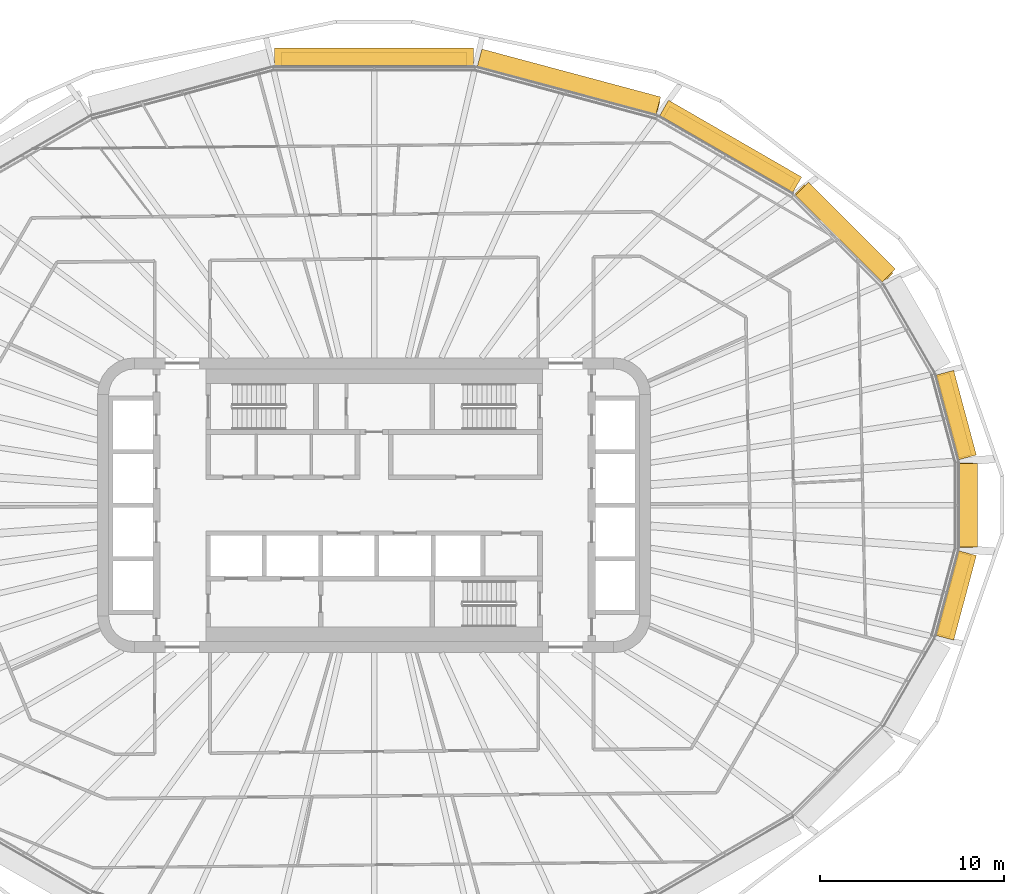
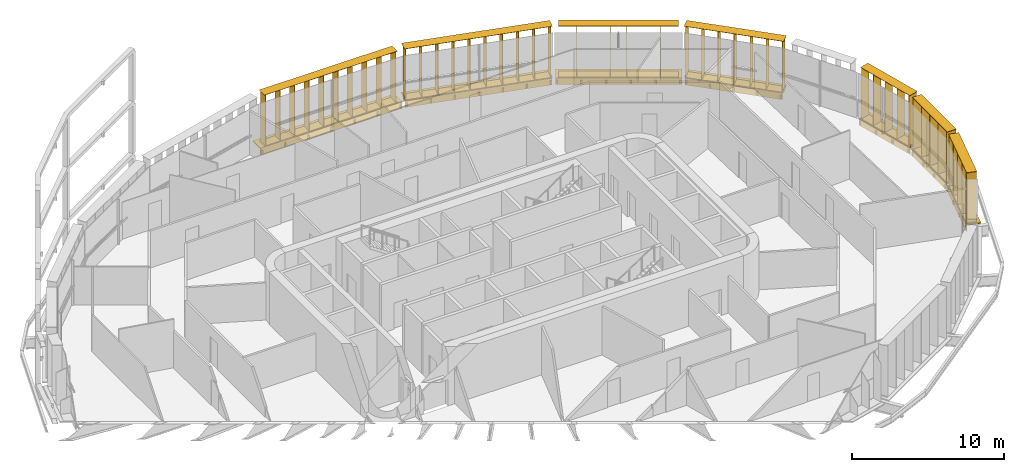
# One storey, part 26 of 26: 14 shading devices.
"""IFC4 building model written with IfcOpenShell, lengths in metres."""

from ifc_helpers import new_model, si_unit, direction, frame, origin, origin_2d, place, context, subcontext, project, spatial, rectangle, extrude, material, type_object, element, save


model = new_model("IFC4")

# Units and contexts
model_context = context("Model", 3, precision=1e-05, world=origin(), true_north=direction((0.0, 1.0)))
body_context = subcontext(model_context, "Body", "Model", "MODEL_VIEW")
ifc_project = project(units=[si_unit("LENGTHUNIT", "METRE"), si_unit("AREAUNIT", "SQUARE_METRE"), si_unit("VOLUMEUNIT", "CUBIC_METRE"), si_unit("PLANEANGLEUNIT", "RADIAN"), si_unit("MASSUNIT", "GRAM", prefix="KILO")], contexts=[model_context])

# Site, building, storey
site_placement = place(None, origin())
site = spatial("IfcSite", under=ifc_project, at=site_placement, CompositionType="ELEMENT")
building_placement = place(site_placement, origin())
building = spatial("IfcBuilding", under=site, at=building_placement, Name="Sahrelin Media Tower", CompositionType="ELEMENT")
storey_placement = place(building_placement, frame((0.0, 0.0, 84.0)))
storey = spatial("IfcBuildingStorey", under=building, at=storey_placement, Name="L15", CompositionType="ELEMENT", Elevation=84.0)

# Shading devices
ifc_material = material(Name="Champagne anodised aluminium 6063-T6", Category="aluminium")
shading_device_type_1 = type_object("IfcShadingDeviceType", Name="Fin cassette", PredefinedType="USERDEFINED", material=ifc_material)
placement_1 = place(storey_placement, frame((31.711181640625, 0.0, 0.0), z_axis=(0.0, 0.0, 1.0), x_axis=(0.0, -1.0, 0.0)))
element("IfcShadingDevice", 1, at=placement_1, inside=storey, type_object=shading_device_type_1, Name="L15:FIN:L15-00", ObjectType="FIN", PredefinedType="USERDEFINED", context=body_context, shape_type="SweptSolid", body=[
    extrude(rectangle(XDim=4.60009765625, YDim=0.699951171875, at=origin_2d()), frame((0.0, 0.419921875, 0.0)), (0.0, 0.0, 1.0), 0.02001953125),
    extrude(rectangle(XDim=4.60009765625, YDim=0.699951171875, at=origin_2d()), frame((0.0, 0.419921875, 4.10009765625)), (0.0, 0.0, 1.0), 0.02001953125),
    extrude(rectangle(XDim=0.02001953125, YDim=0.699951171875, at=origin_2d()), frame((-2.199951171875, 0.419921875, 0.010009765625), z_axis=(0.0, 0.0, 1.0), x_axis=(1.0, 0.0, 0.0)), (0.0, 0.0, 1.0), 4.10009765625),
    extrude(rectangle(XDim=0.02001953125, YDim=0.699951171875, at=origin_2d()), frame((-1.10009765625, 0.419921875, 0.010009765625), z_axis=(0.0, 0.0, 1.0), x_axis=(1.0, 0.0, 0.0)), (0.0, 0.0, 1.0), 4.10009765625),
    extrude(rectangle(XDim=0.02001953125, YDim=0.699951171875, at=origin_2d()), frame((0.0, 0.419921875, 0.010009765625), z_axis=(0.0, 0.0, 1.0), x_axis=(1.0, 0.0, 0.0)), (0.0, 0.0, 1.0), 4.10009765625),
    extrude(rectangle(XDim=0.02001953125, YDim=0.699951171875, at=origin_2d()), frame((1.10009765625, 0.419921875, 0.010009765625), z_axis=(0.0, 0.0, 1.0), x_axis=(1.0, 0.0, 0.0)), (0.0, 0.0, 1.0), 4.10009765625),
    extrude(rectangle(XDim=0.02001953125, YDim=0.699951171875, at=origin_2d()), frame((2.199951171875, 0.419921875, 0.010009765625), z_axis=(0.0, 0.0, 1.0), x_axis=(1.0, 0.0, 0.0)), (0.0, 0.0, 1.0), 4.10009765625),
])
placement_2 = place(storey_placement, frame((31.07080078125, 4.757568359375, 0.0), z_axis=(0.0, 0.0, 1.0), x_axis=(0.258807731996, -0.965928857556, 0.0)))
element("IfcShadingDevice", 2, at=placement_2, inside=storey, type_object=shading_device_type_1, Name="L15:FIN:L15-01", ObjectType="FIN", PredefinedType="USERDEFINED", context=body_context, shape_type="SweptSolid", body=[
    extrude(rectangle(XDim=4.60009765625, YDim=0.699951171875, at=origin_2d()), frame((0.0, 0.419921875, 0.0)), (0.0, 0.0, 1.0), 0.02001953125),
    extrude(rectangle(XDim=4.60009765625, YDim=0.699951171875, at=origin_2d()), frame((0.0, 0.419921875, 4.10009765625)), (0.0, 0.0, 1.0), 0.02001953125),
    extrude(rectangle(XDim=0.02001953125, YDim=0.699951171875, at=origin_2d()), frame((-2.199951171875, 0.419921875, 0.010009765625), z_axis=(0.0, 0.0, 1.0), x_axis=(1.0, 0.0, 0.0)), (0.0, 0.0, 1.0), 4.10009765625),
    extrude(rectangle(XDim=0.02001953125, YDim=0.699951171875, at=origin_2d()), frame((-1.10009765625, 0.419921875, 0.010009765625), z_axis=(0.0, 0.0, 1.0), x_axis=(1.0, 0.0, 0.0)), (0.0, 0.0, 1.0), 4.10009765625),
    extrude(rectangle(XDim=0.02001953125, YDim=0.699951171875, at=origin_2d()), frame((0.0, 0.419921875, 0.010009765625), z_axis=(0.0, 0.0, 1.0), x_axis=(1.0, 0.0, 0.0)), (0.0, 0.0, 1.0), 4.10009765625),
    extrude(rectangle(XDim=0.02001953125, YDim=0.699951171875, at=origin_2d()), frame((1.10009765625, 0.419921875, 0.010009765625), z_axis=(0.0, 0.0, 1.0), x_axis=(1.0, 0.0, 0.0)), (0.0, 0.0, 1.0), 4.10009765625),
    extrude(rectangle(XDim=0.02001953125, YDim=0.699951171875, at=origin_2d()), frame((2.199951171875, 0.419921875, 0.010009765625), z_axis=(0.0, 0.0, 1.0), x_axis=(1.0, 0.0, 0.0)), (0.0, 0.0, 1.0), 4.10009765625),
])
placement_3 = place(storey_placement, frame((25.192138671875, 14.448486328125, 0.0), z_axis=(0.0, 0.0, 1.0), x_axis=(0.707106781187, -0.707106781187, 0.0)))
element("IfcShadingDevice", 3, at=placement_3, inside=storey, type_object=shading_device_type_1, Name="L15:FIN:L15-03", ObjectType="FIN", PredefinedType="USERDEFINED", context=body_context, shape_type="SweptSolid", body=[
    extrude(rectangle(XDim=6.800048828125, YDim=0.699951171875, at=origin_2d()), frame((0.0, 0.419921875, 0.0)), (0.0, 0.0, 1.0), 0.02001953125),
    extrude(rectangle(XDim=6.800048828125, YDim=0.699951171875, at=origin_2d()), frame((0.0, 0.419921875, 4.10009765625)), (0.0, 0.0, 1.0), 0.02001953125),
    extrude(rectangle(XDim=0.02001953125, YDim=0.699951171875, at=origin_2d()), frame((-3.300048828125, 0.419921875, 0.010009765625), z_axis=(0.0, 0.0, 1.0), x_axis=(1.0, 0.0, 0.0)), (0.0, 0.0, 1.0), 4.10009765625),
    extrude(rectangle(XDim=0.02001953125, YDim=0.699951171875, at=origin_2d()), frame((-2.199951171875, 0.419921875, 0.010009765625), z_axis=(0.0, 0.0, 1.0), x_axis=(1.0, 0.0, 0.0)), (0.0, 0.0, 1.0), 4.10009765625),
    extrude(rectangle(XDim=0.02001953125, YDim=0.699951171875, at=origin_2d()), frame((-1.10009765625, 0.419921875, 0.010009765625), z_axis=(0.0, 0.0, 1.0), x_axis=(1.0, 0.0, 0.0)), (0.0, 0.0, 1.0), 4.10009765625),
    extrude(rectangle(XDim=0.02001953125, YDim=0.699951171875, at=origin_2d()), frame((0.0, 0.419921875, 0.010009765625), z_axis=(0.0, 0.0, 1.0), x_axis=(1.0, 0.0, 0.0)), (0.0, 0.0, 1.0), 4.10009765625),
    extrude(rectangle(XDim=0.02001953125, YDim=0.699951171875, at=origin_2d()), frame((1.10009765625, 0.419921875, 0.010009765625), z_axis=(0.0, 0.0, 1.0), x_axis=(1.0, 0.0, 0.0)), (0.0, 0.0, 1.0), 4.10009765625),
    extrude(rectangle(XDim=0.02001953125, YDim=0.699951171875, at=origin_2d()), frame((2.199951171875, 0.419921875, 0.010009765625), z_axis=(0.0, 0.0, 1.0), x_axis=(1.0, 0.0, 0.0)), (0.0, 0.0, 1.0), 4.10009765625),
    extrude(rectangle(XDim=0.02001953125, YDim=0.699951171875, at=origin_2d()), frame((3.300048828125, 0.419921875, 0.010009765625), z_axis=(0.0, 0.0, 1.0), x_axis=(1.0, 0.0, 0.0)), (0.0, 0.0, 1.0), 4.10009765625),
])
placement_4 = place(storey_placement, frame((19.074951171875, 19.003662109375, 0.0), z_axis=(0.0, 0.0, 1.0), x_axis=(0.866019052629, -0.500011000363, 0.0)))
element("IfcShadingDevice", 4, at=placement_4, inside=storey, type_object=shading_device_type_1, Name="L15:FIN:L15-04", ObjectType="FIN", PredefinedType="USERDEFINED", context=body_context, shape_type="SweptSolid", body=[
    extrude(rectangle(XDim=7.89990234375, YDim=0.699951171875, at=origin_2d()), frame((0.0, 0.419921875, 0.0)), (0.0, 0.0, 1.0), 0.02001953125),
    extrude(rectangle(XDim=7.89990234375, YDim=0.699951171875, at=origin_2d()), frame((0.0, 0.419921875, 4.10009765625)), (0.0, 0.0, 1.0), 0.02001953125),
    extrude(rectangle(XDim=0.02001953125, YDim=0.699951171875, at=origin_2d()), frame((-3.85009765625, 0.419921875, 0.010009765625), z_axis=(0.0, 0.0, 1.0), x_axis=(1.0, 0.0, 0.0)), (0.0, 0.0, 1.0), 4.10009765625),
    extrude(rectangle(XDim=0.02001953125, YDim=0.699951171875, at=origin_2d()), frame((-2.75, 0.419921875, 0.010009765625), z_axis=(0.0, 0.0, 1.0), x_axis=(1.0, 0.0, 0.0)), (0.0, 0.0, 1.0), 4.10009765625),
    extrude(rectangle(XDim=0.02001953125, YDim=0.699951171875, at=origin_2d()), frame((-1.64990234375, 0.419921875, 0.010009765625), z_axis=(0.0, 0.0, 1.0), x_axis=(1.0, 0.0, 0.0)), (0.0, 0.0, 1.0), 4.10009765625),
    extrude(rectangle(XDim=0.02001953125, YDim=0.699951171875, at=origin_2d()), frame((-0.550048828125, 0.419921875, 0.010009765625), z_axis=(0.0, 0.0, 1.0), x_axis=(1.0, 0.0, 0.0)), (0.0, 0.0, 1.0), 4.10009765625),
    extrude(rectangle(XDim=0.02001953125, YDim=0.699951171875, at=origin_2d()), frame((0.550048828125, 0.419921875, 0.010009765625), z_axis=(0.0, 0.0, 1.0), x_axis=(1.0, 0.0, 0.0)), (0.0, 0.0, 1.0), 4.10009765625),
    extrude(rectangle(XDim=0.02001953125, YDim=0.699951171875, at=origin_2d()), frame((1.64990234375, 0.419921875, 0.010009765625), z_axis=(0.0, 0.0, 1.0), x_axis=(1.0, 0.0, 0.0)), (0.0, 0.0, 1.0), 4.10009765625),
    extrude(rectangle(XDim=0.02001953125, YDim=0.699951171875, at=origin_2d()), frame((2.75, 0.419921875, 0.010009765625), z_axis=(0.0, 0.0, 1.0), x_axis=(1.0, 0.0, 0.0)), (0.0, 0.0, 1.0), 4.10009765625),
    extrude(rectangle(XDim=0.02001953125, YDim=0.699951171875, at=origin_2d()), frame((3.85009765625, 0.419921875, 0.010009765625), z_axis=(0.0, 0.0, 1.0), x_axis=(1.0, 0.0, 0.0)), (0.0, 0.0, 1.0), 4.10009765625),
])
placement_5 = place(storey_placement, frame((10.436279296875, 22.462158203125, 0.0), z_axis=(0.0, 0.0, 1.0), x_axis=(0.965928857556, -0.258807731996, 0.0)))
element("IfcShadingDevice", 5, at=placement_5, inside=storey, type_object=shading_device_type_1, Name="L15:FIN:L15-05", ObjectType="FIN", PredefinedType="USERDEFINED", context=body_context, shape_type="SweptSolid", body=[
    extrude(rectangle(XDim=10.10009765625, YDim=0.699951171875, at=origin_2d()), frame((0.0, 0.419921875, 0.0)), (0.0, 0.0, 1.0), 0.02001953125),
    extrude(rectangle(XDim=10.10009765625, YDim=0.699951171875, at=origin_2d()), frame((0.0, 0.419921875, 4.10009765625)), (0.0, 0.0, 1.0), 0.02001953125),
    extrude(rectangle(XDim=0.02001953125, YDim=0.699951171875, at=origin_2d()), frame((-4.949951171875, 0.419921875, 0.010009765625), z_axis=(0.0, 0.0, 1.0), x_axis=(1.0, 0.0, 0.0)), (0.0, 0.0, 1.0), 4.10009765625),
    extrude(rectangle(XDim=0.02001953125, YDim=0.699951171875, at=origin_2d()), frame((-3.85009765625, 0.419921875, 0.010009765625), z_axis=(0.0, 0.0, 1.0), x_axis=(1.0, 0.0, 0.0)), (0.0, 0.0, 1.0), 4.10009765625),
    extrude(rectangle(XDim=0.02001953125, YDim=0.699951171875, at=origin_2d()), frame((-2.75, 0.419921875, 0.010009765625), z_axis=(0.0, 0.0, 1.0), x_axis=(1.0, 0.0, 0.0)), (0.0, 0.0, 1.0), 4.10009765625),
    extrude(rectangle(XDim=0.02001953125, YDim=0.699951171875, at=origin_2d()), frame((-1.64990234375, 0.419921875, 0.010009765625), z_axis=(0.0, 0.0, 1.0), x_axis=(1.0, 0.0, 0.0)), (0.0, 0.0, 1.0), 4.10009765625),
    extrude(rectangle(XDim=0.02001953125, YDim=0.699951171875, at=origin_2d()), frame((-0.550048828125, 0.419921875, 0.010009765625), z_axis=(0.0, 0.0, 1.0), x_axis=(1.0, 0.0, 0.0)), (0.0, 0.0, 1.0), 4.10009765625),
    extrude(rectangle(XDim=0.02001953125, YDim=0.699951171875, at=origin_2d()), frame((0.550048828125, 0.419921875, 0.010009765625), z_axis=(0.0, 0.0, 1.0), x_axis=(1.0, 0.0, 0.0)), (0.0, 0.0, 1.0), 4.10009765625),
    extrude(rectangle(XDim=0.02001953125, YDim=0.699951171875, at=origin_2d()), frame((1.64990234375, 0.419921875, 0.010009765625), z_axis=(0.0, 0.0, 1.0), x_axis=(1.0, 0.0, 0.0)), (0.0, 0.0, 1.0), 4.10009765625),
    extrude(rectangle(XDim=0.02001953125, YDim=0.699951171875, at=origin_2d()), frame((2.75, 0.419921875, 0.010009765625), z_axis=(0.0, 0.0, 1.0), x_axis=(1.0, 0.0, 0.0)), (0.0, 0.0, 1.0), 4.10009765625),
    extrude(rectangle(XDim=0.02001953125, YDim=0.699951171875, at=origin_2d()), frame((3.85009765625, 0.419921875, 0.010009765625), z_axis=(0.0, 0.0, 1.0), x_axis=(1.0, 0.0, 0.0)), (0.0, 0.0, 1.0), 4.10009765625),
    extrude(rectangle(XDim=0.02001953125, YDim=0.699951171875, at=origin_2d()), frame((4.949951171875, 0.419921875, 0.010009765625), z_axis=(0.0, 0.0, 1.0), x_axis=(1.0, 0.0, 0.0)), (0.0, 0.0, 1.0), 4.10009765625),
])
placement_6 = place(storey_placement, frame((0.0, 23.786376953125, 0.0), z_axis=(0.0, 0.0, 1.0), x_axis=(1.0, 0.0, 0.0)))
element("IfcShadingDevice", 6, at=placement_6, inside=storey, type_object=shading_device_type_1, Name="L15:FIN:L15-06", ObjectType="FIN", PredefinedType="USERDEFINED", context=body_context, shape_type="SweptSolid", body=[
    extrude(rectangle(XDim=10.10009765625, YDim=0.699951171875, at=origin_2d()), frame((0.0, 0.419921875, 0.0)), (0.0, 0.0, 1.0), 0.02001953125),
    extrude(rectangle(XDim=10.10009765625, YDim=0.699951171875, at=origin_2d()), frame((0.0, 0.419921875, 4.10009765625)), (0.0, 0.0, 1.0), 0.02001953125),
    extrude(rectangle(XDim=0.02001953125, YDim=0.699951171875, at=origin_2d()), frame((-4.949951171875, 0.419921875, 0.010009765625), z_axis=(0.0, 0.0, 1.0), x_axis=(1.0, 0.0, 0.0)), (0.0, 0.0, 1.0), 4.10009765625),
    extrude(rectangle(XDim=0.02001953125, YDim=0.699951171875, at=origin_2d()), frame((-3.85009765625, 0.419921875, 0.010009765625), z_axis=(0.0, 0.0, 1.0), x_axis=(1.0, 0.0, 0.0)), (0.0, 0.0, 1.0), 4.10009765625),
    extrude(rectangle(XDim=0.02001953125, YDim=0.699951171875, at=origin_2d()), frame((-2.75, 0.419921875, 0.010009765625), z_axis=(0.0, 0.0, 1.0), x_axis=(1.0, 0.0, 0.0)), (0.0, 0.0, 1.0), 4.10009765625),
    extrude(rectangle(XDim=0.02001953125, YDim=0.699951171875, at=origin_2d()), frame((-1.64990234375, 0.419921875, 0.010009765625), z_axis=(0.0, 0.0, 1.0), x_axis=(1.0, 0.0, 0.0)), (0.0, 0.0, 1.0), 4.10009765625),
    extrude(rectangle(XDim=0.02001953125, YDim=0.699951171875, at=origin_2d()), frame((-0.550048828125, 0.419921875, 0.010009765625), z_axis=(0.0, 0.0, 1.0), x_axis=(1.0, 0.0, 0.0)), (0.0, 0.0, 1.0), 4.10009765625),
    extrude(rectangle(XDim=0.02001953125, YDim=0.699951171875, at=origin_2d()), frame((0.550048828125, 0.419921875, 0.010009765625), z_axis=(0.0, 0.0, 1.0), x_axis=(1.0, 0.0, 0.0)), (0.0, 0.0, 1.0), 4.10009765625),
    extrude(rectangle(XDim=0.02001953125, YDim=0.699951171875, at=origin_2d()), frame((1.64990234375, 0.419921875, 0.010009765625), z_axis=(0.0, 0.0, 1.0), x_axis=(1.0, 0.0, 0.0)), (0.0, 0.0, 1.0), 4.10009765625),
    extrude(rectangle(XDim=0.02001953125, YDim=0.699951171875, at=origin_2d()), frame((2.75, 0.419921875, 0.010009765625), z_axis=(0.0, 0.0, 1.0), x_axis=(1.0, 0.0, 0.0)), (0.0, 0.0, 1.0), 4.10009765625),
    extrude(rectangle(XDim=0.02001953125, YDim=0.699951171875, at=origin_2d()), frame((3.85009765625, 0.419921875, 0.010009765625), z_axis=(0.0, 0.0, 1.0), x_axis=(1.0, 0.0, 0.0)), (0.0, 0.0, 1.0), 4.10009765625),
    extrude(rectangle(XDim=0.02001953125, YDim=0.699951171875, at=origin_2d()), frame((4.949951171875, 0.419921875, 0.010009765625), z_axis=(0.0, 0.0, 1.0), x_axis=(1.0, 0.0, 0.0)), (0.0, 0.0, 1.0), 4.10009765625),
])
placement_7 = place(storey_placement, frame((31.07080078125, -4.757568359375, 0.0), z_axis=(0.0, 0.0, 1.0), x_axis=(-0.258807731996, -0.965928857556, 0.0)))
element("IfcShadingDevice", 7, at=placement_7, inside=storey, type_object=shading_device_type_1, Name="L15:FIN:L15-23", ObjectType="FIN", PredefinedType="USERDEFINED", context=body_context, shape_type="SweptSolid", body=[
    extrude(rectangle(XDim=4.60009765625, YDim=0.699951171875, at=origin_2d()), frame((0.0, 0.419921875, 0.0)), (0.0, 0.0, 1.0), 0.02001953125),
    extrude(rectangle(XDim=4.60009765625, YDim=0.699951171875, at=origin_2d()), frame((0.0, 0.419921875, 4.10009765625)), (0.0, 0.0, 1.0), 0.02001953125),
    extrude(rectangle(XDim=0.02001953125, YDim=0.699951171875, at=origin_2d()), frame((-2.199951171875, 0.419921875, 0.010009765625), z_axis=(0.0, 0.0, 1.0), x_axis=(1.0, 0.0, 0.0)), (0.0, 0.0, 1.0), 4.10009765625),
    extrude(rectangle(XDim=0.02001953125, YDim=0.699951171875, at=origin_2d()), frame((-1.10009765625, 0.419921875, 0.010009765625), z_axis=(0.0, 0.0, 1.0), x_axis=(1.0, 0.0, 0.0)), (0.0, 0.0, 1.0), 4.10009765625),
    extrude(rectangle(XDim=0.02001953125, YDim=0.699951171875, at=origin_2d()), frame((0.0, 0.419921875, 0.010009765625), z_axis=(0.0, 0.0, 1.0), x_axis=(1.0, 0.0, 0.0)), (0.0, 0.0, 1.0), 4.10009765625),
    extrude(rectangle(XDim=0.02001953125, YDim=0.699951171875, at=origin_2d()), frame((1.10009765625, 0.419921875, 0.010009765625), z_axis=(0.0, 0.0, 1.0), x_axis=(1.0, 0.0, 0.0)), (0.0, 0.0, 1.0), 4.10009765625),
    extrude(rectangle(XDim=0.02001953125, YDim=0.699951171875, at=origin_2d()), frame((2.199951171875, 0.419921875, 0.010009765625), z_axis=(0.0, 0.0, 1.0), x_axis=(1.0, 0.0, 0.0)), (0.0, 0.0, 1.0), 4.10009765625),
])
shading_device_type_2 = type_object("IfcShadingDeviceType", Name="Sunshade band", PredefinedType="USERDEFINED", material=ifc_material)
element("IfcShadingDevice", 8, at=placement_1, inside=storey, type_object=shading_device_type_2, Name="L15:SUN:L15-00", ObjectType="SUNSHADE", PredefinedType="USERDEFINED", context=body_context, shape_type="SweptSolid", body=[
    extrude(rectangle(XDim=4.533447265625, YDim=0.050048828125, at=origin_2d()), frame((0.0, 0.044921875, -0.55126953125)), (0.0, 0.0, 1.0), 0.471435546875),
    extrude(rectangle(XDim=4.533447265625, YDim=1.0, at=origin_2d()), frame((0.0, 0.52001953125, -0.080078125)), (0.0, 0.0, 1.0), 0.080078125),
    extrude(rectangle(XDim=0.10009765625, YDim=0.074951171875, at=origin_2d()), frame((-2.166748046875, -0.017578125, -0.47021484375)), (0.0, 0.0, 1.0), 0.300048828125),
    extrude(rectangle(XDim=0.10009765625, YDim=0.074951171875, at=origin_2d()), frame((-0.72216796875, -0.017578125, -0.47021484375)), (0.0, 0.0, 1.0), 0.300048828125),
    extrude(rectangle(XDim=0.10009765625, YDim=0.074951171875, at=origin_2d()), frame((0.72216796875, -0.017578125, -0.47021484375)), (0.0, 0.0, 1.0), 0.300048828125),
    extrude(rectangle(XDim=0.10009765625, YDim=0.074951171875, at=origin_2d()), frame((2.166748046875, -0.017578125, -0.47021484375)), (0.0, 0.0, 1.0), 0.300048828125),
])
element("IfcShadingDevice", 9, at=placement_2, inside=storey, type_object=shading_device_type_2, Name="L15:SUN:L15-01", ObjectType="SUNSHADE", PredefinedType="USERDEFINED", context=body_context, shape_type="SweptSolid", body=[
    extrude(rectangle(XDim=4.75048828125, YDim=0.050048828125, at=origin_2d()), frame((0.0, 0.044921875, -0.55126953125)), (0.0, 0.0, 1.0), 0.471435546875),
    extrude(rectangle(XDim=4.75048828125, YDim=1.0, at=origin_2d()), frame((0.0, 0.52001953125, -0.080078125)), (0.0, 0.0, 1.0), 0.080078125),
    extrude(rectangle(XDim=0.10009765625, YDim=0.074951171875, at=origin_2d()), frame((-2.275390625, -0.017578125, -0.47021484375)), (0.0, 0.0, 1.0), 0.300048828125),
    extrude(rectangle(XDim=0.10009765625, YDim=0.074951171875, at=origin_2d()), frame((-0.75830078125, -0.017578125, -0.47021484375)), (0.0, 0.0, 1.0), 0.300048828125),
    extrude(rectangle(XDim=0.10009765625, YDim=0.074951171875, at=origin_2d()), frame((0.75830078125, -0.017578125, -0.47021484375)), (0.0, 0.0, 1.0), 0.300048828125),
    extrude(rectangle(XDim=0.10009765625, YDim=0.074951171875, at=origin_2d()), frame((2.275390625, -0.017578125, -0.47021484375)), (0.0, 0.0, 1.0), 0.300048828125),
])
element("IfcShadingDevice", 10, at=placement_3, inside=storey, type_object=shading_device_type_2, Name="L15:SUN:L15-03", ObjectType="SUNSHADE", PredefinedType="USERDEFINED", context=body_context, shape_type="SweptSolid", body=[
    extrude(rectangle(XDim=6.64697265625, YDim=0.050048828125, at=origin_2d()), frame((0.0, 0.044921875, -0.55126953125)), (0.0, 0.0, 1.0), 0.471435546875),
    extrude(rectangle(XDim=6.64697265625, YDim=1.0, at=origin_2d()), frame((0.0, 0.52001953125, -0.080078125)), (0.0, 0.0, 1.0), 0.080078125),
    extrude(rectangle(XDim=0.10009765625, YDim=0.074951171875, at=origin_2d()), frame((-3.223388671875, -0.017578125, -0.47021484375)), (0.0, 0.0, 1.0), 0.300048828125),
    extrude(rectangle(XDim=0.10009765625, YDim=0.074951171875, at=origin_2d()), frame((-1.61181640625, -0.017578125, -0.47021484375)), (0.0, 0.0, 1.0), 0.300048828125),
    extrude(rectangle(XDim=0.10009765625, YDim=0.074951171875, at=origin_2d()), frame((0.0, -0.017578125, -0.47021484375)), (0.0, 0.0, 1.0), 0.300048828125),
    extrude(rectangle(XDim=0.10009765625, YDim=0.074951171875, at=origin_2d()), frame((1.61181640625, -0.017578125, -0.47021484375)), (0.0, 0.0, 1.0), 0.300048828125),
    extrude(rectangle(XDim=0.10009765625, YDim=0.074951171875, at=origin_2d()), frame((3.223388671875, -0.017578125, -0.47021484375)), (0.0, 0.0, 1.0), 0.300048828125),
])
element("IfcShadingDevice", 11, at=placement_4, inside=storey, type_object=shading_device_type_2, Name="L15:SUN:L15-04", ObjectType="SUNSHADE", PredefinedType="USERDEFINED", context=body_context, shape_type="SweptSolid", body=[
    extrude(rectangle(XDim=8.336669921875, YDim=0.050048828125, at=origin_2d()), frame((0.0, 0.044921875, -0.55126953125)), (0.0, 0.0, 1.0), 0.471435546875),
    extrude(rectangle(XDim=8.336669921875, YDim=1.0, at=origin_2d()), frame((0.0, 0.52001953125, -0.080078125)), (0.0, 0.0, 1.0), 0.080078125),
    extrude(rectangle(XDim=0.10009765625, YDim=0.074951171875, at=origin_2d()), frame((-4.068359375, -0.017578125, -0.47021484375)), (0.0, 0.0, 1.0), 0.300048828125),
    extrude(rectangle(XDim=0.10009765625, YDim=0.074951171875, at=origin_2d()), frame((-2.44091796875, -0.017578125, -0.47021484375)), (0.0, 0.0, 1.0), 0.300048828125),
    extrude(rectangle(XDim=0.10009765625, YDim=0.074951171875, at=origin_2d()), frame((-0.813720703125, -0.017578125, -0.47021484375)), (0.0, 0.0, 1.0), 0.300048828125),
    extrude(rectangle(XDim=0.10009765625, YDim=0.074951171875, at=origin_2d()), frame((0.813720703125, -0.017578125, -0.47021484375)), (0.0, 0.0, 1.0), 0.300048828125),
    extrude(rectangle(XDim=0.10009765625, YDim=0.074951171875, at=origin_2d()), frame((2.44091796875, -0.017578125, -0.47021484375)), (0.0, 0.0, 1.0), 0.300048828125),
    extrude(rectangle(XDim=0.10009765625, YDim=0.074951171875, at=origin_2d()), frame((4.068359375, -0.017578125, -0.47021484375)), (0.0, 0.0, 1.0), 0.300048828125),
])
element("IfcShadingDevice", 12, at=placement_5, inside=storey, type_object=shading_device_type_2, Name="L15:SUN:L15-05", ObjectType="SUNSHADE", PredefinedType="USERDEFINED", context=body_context, shape_type="SweptSolid", body=[
    extrude(rectangle(XDim=10.033203125, YDim=0.050048828125, at=origin_2d()), frame((0.0, 0.044921875, -0.55126953125)), (0.0, 0.0, 1.0), 0.471435546875),
    extrude(rectangle(XDim=10.033203125, YDim=1.0, at=origin_2d()), frame((0.0, 0.52001953125, -0.080078125)), (0.0, 0.0, 1.0), 0.080078125),
    extrude(rectangle(XDim=0.10009765625, YDim=0.074951171875, at=origin_2d()), frame((-4.91650390625, -0.017578125, -0.47021484375)), (0.0, 0.0, 1.0), 0.300048828125),
    extrude(rectangle(XDim=0.10009765625, YDim=0.074951171875, at=origin_2d()), frame((-3.277587890625, -0.017578125, -0.47021484375)), (0.0, 0.0, 1.0), 0.300048828125),
    extrude(rectangle(XDim=0.10009765625, YDim=0.074951171875, at=origin_2d()), frame((-1.638916015625, -0.017578125, -0.47021484375)), (0.0, 0.0, 1.0), 0.300048828125),
    extrude(rectangle(XDim=0.10009765625, YDim=0.074951171875, at=origin_2d()), frame((0.0, -0.017578125, -0.47021484375)), (0.0, 0.0, 1.0), 0.300048828125),
    extrude(rectangle(XDim=0.10009765625, YDim=0.074951171875, at=origin_2d()), frame((1.638916015625, -0.017578125, -0.47021484375)), (0.0, 0.0, 1.0), 0.300048828125),
    extrude(rectangle(XDim=0.10009765625, YDim=0.074951171875, at=origin_2d()), frame((3.277587890625, -0.017578125, -0.47021484375)), (0.0, 0.0, 1.0), 0.300048828125),
    extrude(rectangle(XDim=0.10009765625, YDim=0.074951171875, at=origin_2d()), frame((4.91650390625, -0.017578125, -0.47021484375)), (0.0, 0.0, 1.0), 0.300048828125),
])
element("IfcShadingDevice", 13, at=placement_6, inside=storey, type_object=shading_device_type_2, Name="L15:SUN:L15-06", ObjectType="SUNSHADE", PredefinedType="USERDEFINED", context=body_context, shape_type="SweptSolid", body=[
    extrude(rectangle(XDim=10.7880859375, YDim=0.050048828125, at=origin_2d()), frame((0.0, 0.044921875, -0.55126953125)), (0.0, 0.0, 1.0), 0.471435546875),
    extrude(rectangle(XDim=10.7880859375, YDim=1.0, at=origin_2d()), frame((0.0, 0.52001953125, -0.080078125)), (0.0, 0.0, 1.0), 0.080078125),
    extrude(rectangle(XDim=0.10009765625, YDim=0.074951171875, at=origin_2d()), frame((-5.2939453125, -0.017578125, -0.47021484375)), (0.0, 0.0, 1.0), 0.300048828125),
    extrude(rectangle(XDim=0.10009765625, YDim=0.074951171875, at=origin_2d()), frame((-3.529296875, -0.017578125, -0.47021484375)), (0.0, 0.0, 1.0), 0.300048828125),
    extrude(rectangle(XDim=0.10009765625, YDim=0.074951171875, at=origin_2d()), frame((-1.7646484375, -0.017578125, -0.47021484375)), (0.0, 0.0, 1.0), 0.300048828125),
    extrude(rectangle(XDim=0.10009765625, YDim=0.074951171875, at=origin_2d()), frame((0.0, -0.017578125, -0.47021484375)), (0.0, 0.0, 1.0), 0.300048828125),
    extrude(rectangle(XDim=0.10009765625, YDim=0.074951171875, at=origin_2d()), frame((1.7646484375, -0.017578125, -0.47021484375)), (0.0, 0.0, 1.0), 0.300048828125),
    extrude(rectangle(XDim=0.10009765625, YDim=0.074951171875, at=origin_2d()), frame((3.529296875, -0.017578125, -0.47021484375)), (0.0, 0.0, 1.0), 0.300048828125),
    extrude(rectangle(XDim=0.10009765625, YDim=0.074951171875, at=origin_2d()), frame((5.2939453125, -0.017578125, -0.47021484375)), (0.0, 0.0, 1.0), 0.300048828125),
])
element("IfcShadingDevice", 14, at=placement_7, inside=storey, type_object=shading_device_type_2, Name="L15:SUN:L15-23", ObjectType="SUNSHADE", PredefinedType="USERDEFINED", context=body_context, shape_type="SweptSolid", body=[
    extrude(rectangle(XDim=4.75048828125, YDim=0.050048828125, at=origin_2d()), frame((0.0, 0.044921875, -0.55126953125)), (0.0, 0.0, 1.0), 0.471435546875),
    extrude(rectangle(XDim=4.75048828125, YDim=1.0, at=origin_2d()), frame((0.0, 0.52001953125, -0.080078125)), (0.0, 0.0, 1.0), 0.080078125),
    extrude(rectangle(XDim=0.10009765625, YDim=0.074951171875, at=origin_2d()), frame((-2.275390625, -0.017578125, -0.47021484375)), (0.0, 0.0, 1.0), 0.300048828125),
    extrude(rectangle(XDim=0.10009765625, YDim=0.074951171875, at=origin_2d()), frame((-0.75830078125, -0.017578125, -0.47021484375)), (0.0, 0.0, 1.0), 0.300048828125),
    extrude(rectangle(XDim=0.10009765625, YDim=0.074951171875, at=origin_2d()), frame((0.75830078125, -0.017578125, -0.47021484375)), (0.0, 0.0, 1.0), 0.300048828125),
    extrude(rectangle(XDim=0.10009765625, YDim=0.074951171875, at=origin_2d()), frame((2.275390625, -0.017578125, -0.47021484375)), (0.0, 0.0, 1.0), 0.300048828125),
])

save(model, "model.ifc")
